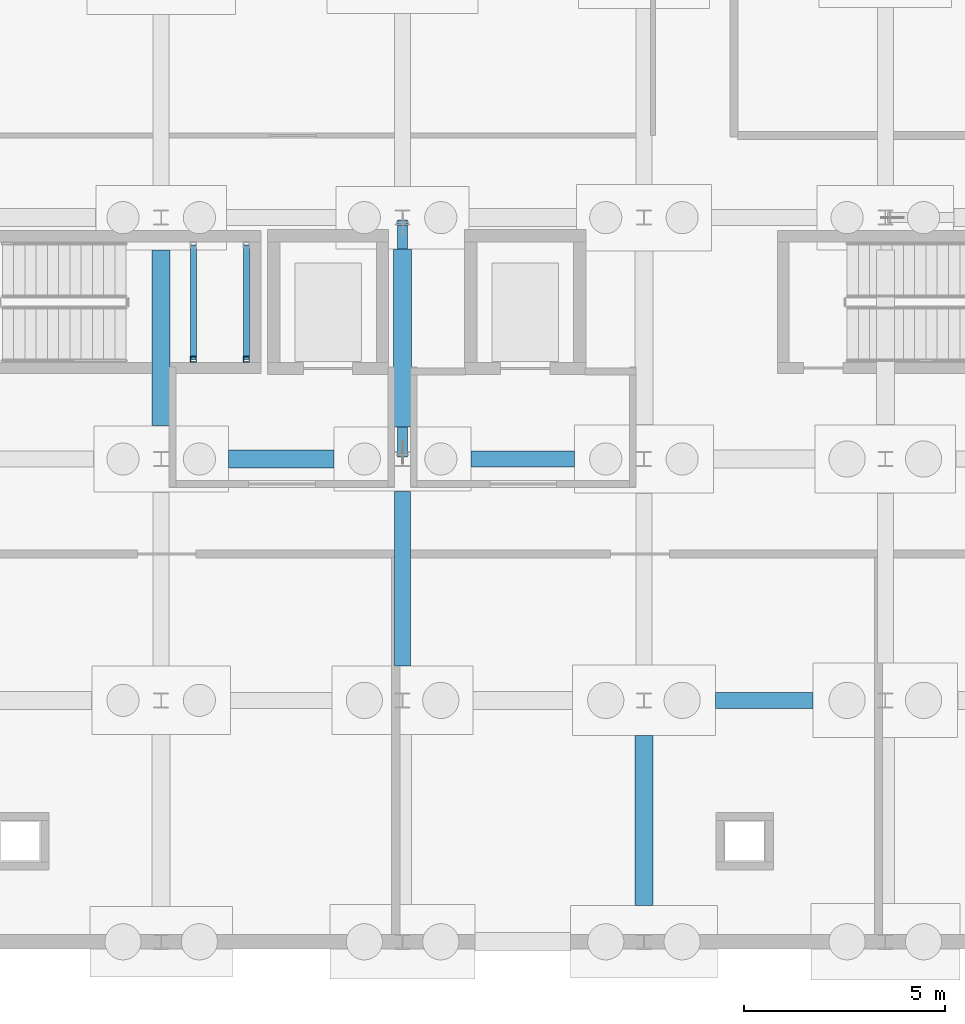
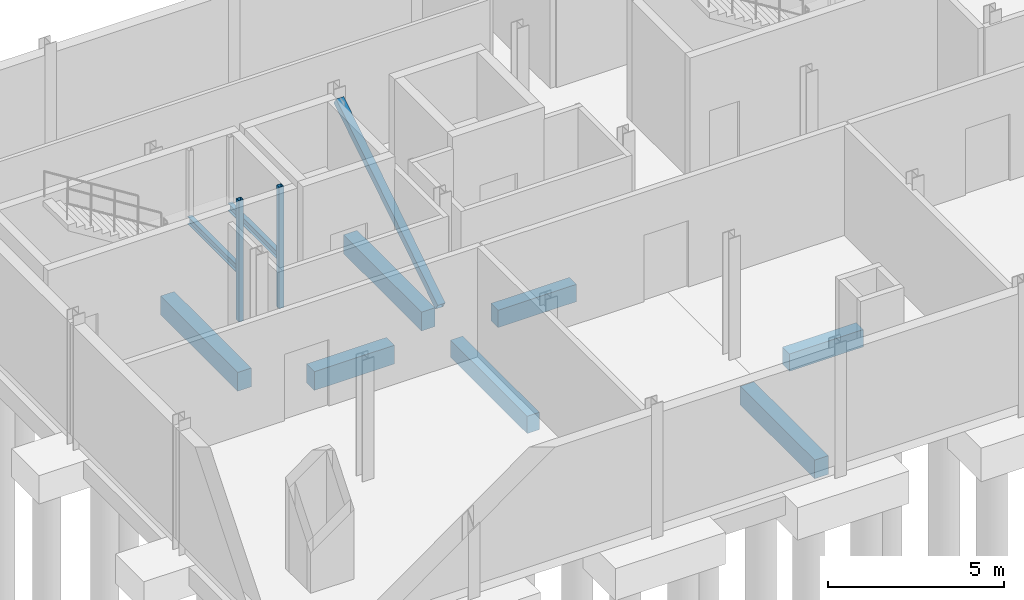
# One storey, part 3 of 12: 9 beams, 3 members.
"""IFC4 building model written with IfcOpenShell, lengths in metres."""

from ifc_helpers import new_model, si_unit, direction, frame, origin, origin_2d, place, context, subcontext, project, spatial, rectangle, hollow_rectangle, i_section, extrude, material, material_profile, profile_set, type_object, element, save


model = new_model("IFC4")

# Units and contexts
model_context = context("Model", 3, precision=1e-05, world=origin(), true_north=direction((0.0, 1.0)))
body_context = subcontext(model_context, "Body", "Model", "MODEL_VIEW")
ifc_project = project(units=[si_unit("LENGTHUNIT", "METRE"), si_unit("AREAUNIT", "SQUARE_METRE"), si_unit("VOLUMEUNIT", "CUBIC_METRE"), si_unit("PLANEANGLEUNIT", "RADIAN"), si_unit("MASSUNIT", "GRAM", prefix="KILO")], contexts=[model_context])

# Site, building, storey
site_placement = place(None, origin())
site = spatial("IfcSite", under=ifc_project, at=site_placement, CompositionType="ELEMENT")
building_placement = place(site_placement, origin())
building = spatial("IfcBuilding", under=site, at=building_placement, Name="Siltcreek Boulevard Central Fire Station", CompositionType="ELEMENT")
storey_placement = place(building_placement, frame((0.0, 0.0, -4.199951171875)))
storey = spatial("IfcBuildingStorey", under=building, at=storey_placement, Name="B01", CompositionType="ELEMENT", Elevation=-4.199951171875)

# Members
ifc_material_1 = material(Name="Structural steel ASTM A500 GrC", Category="steel")
ifc_material_profile_1 = material_profile(ifc_material_1, hollow_rectangle(XDim=0.14990234375, YDim=0.14990234375, WallThickness=0.008056640625, at=origin_2d()), Name="HSS150X150X8.0")
ifc_profile_set_1 = profile_set([ifc_material_profile_1], Name="Structural steel ASTM A500 GrC")
member_type_1 = type_object("IfcMemberType", Name="BR_HSS150_8", PredefinedType="BRACE", material=ifc_profile_set_1)
for number, where, z_axis, x_axis, name in (
    (1, (131.0, 102.679931640625, 0.0), (0.0, 0.0, 1.0), (1.0, 0.0, 0.0), "B01 ST-V5A stair landing corner post SW"),
    (2, (132.320068359375, 102.679931640625, 0.0), (0.0, 0.0, 1.0), (1.0, 0.0, 0.0), "B01 ST-V5A stair landing corner post SE"),
):
    element("IfcMember", number, at=place(storey_placement, frame(where, z_axis=z_axis, x_axis=x_axis)), inside=storey, type_object=member_type_1, Name=name, PredefinedType="BRACE", context=body_context, shape_type="SweptSolid", body=[
        extrude(hollow_rectangle(XDim=0.14990234375, YDim=0.14990234375, WallThickness=0.008056640625, at=origin_2d()), origin(), (0.0, 0.0, 1.0), 4.199951171875),
    ])
ifc_material_profile_2 = material_profile(ifc_material_1, hollow_rectangle(XDim=0.25, YDim=0.25, WallThickness=0.009521484375, at=origin_2d()), Name="HSS250X250X9.5")
ifc_profile_set_2 = profile_set([ifc_material_profile_2], Name="Structural steel ASTM A500 GrC")
member_type_2 = type_object("IfcMemberType", Name="BR_HSS250_9", PredefinedType="BRACE", material=ifc_profile_set_2)
member_placement = place(storey_placement, frame((136.199951171875, 100.320068359375, 0.099853515625), z_axis=(0.0, 0.844677172169, 0.535276073458), x_axis=(-1.0, 0.0, 0.0)))
element("IfcMember", 3, at=member_placement, inside=storey, type_object=member_type_2, Name="B01 buckling-restrained brace BR-031", PredefinedType="BRACE", context=body_context, shape_type="SweptSolid", body=[
    extrude(hollow_rectangle(XDim=0.25, YDim=0.25, WallThickness=0.009521484375, at=origin_2d()), origin(), (0.0, 0.0, 1.0), 6.819091796875),
])

# Beams
ifc_material_2 = material(Name="Concrete C35/45", Category="concrete")
ifc_material_profile_3 = material_profile(ifc_material_2, rectangle(XDim=0.39990234375, YDim=0.60009765625, at=origin_2d()), Name="RC400X600")
ifc_profile_set_3 = profile_set([ifc_material_profile_3], Name="Concrete C35/45")
beam_type_1 = type_object("IfcBeamType", Name="GB_RC400X600", PredefinedType="USERDEFINED", material=ifc_profile_set_3)
beam_1_placement = place(storey_placement, frame((143.97705078125, 94.199951171875, -0.75), z_axis=(1.0, 0.0, 0.0), x_axis=(0.0, 1.0, 0.0)))
element("IfcBeam", 4, at=beam_1_placement, inside=storey, type_object=beam_type_1, Name="Reinforced concrete tie grade beam GB-241", ObjectType="GRADE BEAM", PredefinedType="USERDEFINED", context=body_context, shape_type="SweptSolid", body=[
    extrude(rectangle(XDim=0.39990234375, YDim=0.60009765625, at=origin_2d()), origin(), (0.0, 0.0, 1.0), 2.4208984375),
])
beam_2_placement = place(storey_placement, frame((137.902099609375, 100.199951171875, -0.75), z_axis=(1.0, 0.0, 0.0), x_axis=(0.0, 1.0, 0.0)))
element("IfcBeam", 5, at=beam_2_placement, inside=storey, type_object=beam_type_1, Name="Reinforced concrete tie grade beam GB-247", ObjectType="GRADE BEAM", PredefinedType="USERDEFINED", context=body_context, shape_type="SweptSolid", body=[
    extrude(rectangle(XDim=0.39990234375, YDim=0.60009765625, at=origin_2d()), origin(), (0.0, 0.0, 1.0), 2.57080078125),
])
beam_3_placement = place(storey_placement, frame((136.199951171875, 95.052001953125, -0.75), z_axis=(0.0, 1.0, 0.0), x_axis=(-1.0, 0.0, 0.0)))
element("IfcBeam", 6, at=beam_3_placement, inside=storey, type_object=beam_type_1, Name="Reinforced concrete tie grade beam GB-275", ObjectType="GRADE BEAM", PredefinedType="USERDEFINED", context=body_context, shape_type="SweptSolid", body=[
    extrude(rectangle(XDim=0.39990234375, YDim=0.60009765625, at=origin_2d()), origin(), (0.0, 0.0, 1.0), 4.345947265625),
])
ifc_material_profile_4 = material_profile(ifc_material_2, rectangle(XDim=0.449951171875, YDim=0.64990234375, at=origin_2d()), Name="RC450X650")
ifc_profile_set_4 = profile_set([ifc_material_profile_4], Name="Concrete C35/45")
beam_type_2 = type_object("IfcBeamType", Name="GB_RC450X650", PredefinedType="USERDEFINED", material=ifc_profile_set_4)
beam_4_placement = place(storey_placement, frame((131.876953125, 100.199951171875, -0.775146484375), z_axis=(1.0, 0.0, 0.0), x_axis=(0.0, 1.0, 0.0)))
element("IfcBeam", 7, at=beam_4_placement, inside=storey, type_object=beam_type_2, Name="Reinforced concrete tie grade beam GB-246", ObjectType="GRADE BEAM", PredefinedType="USERDEFINED", context=body_context, shape_type="SweptSolid", body=[
    extrude(rectangle(XDim=0.449951171875, YDim=0.64990234375, at=origin_2d()), origin(), (0.0, 0.0, 1.0), 2.62109375),
])
beam_5_placement = place(storey_placement, frame((130.199951171875, 101.027099609375, -0.775146484375), z_axis=(0.0, 1.0, 0.0), x_axis=(-1.0, 0.0, 0.0)))
element("IfcBeam", 8, at=beam_5_placement, inside=storey, type_object=beam_type_2, Name="Reinforced concrete tie grade beam GB-272", ObjectType="GRADE BEAM", PredefinedType="USERDEFINED", context=body_context, shape_type="SweptSolid", body=[
    extrude(rectangle(XDim=0.449951171875, YDim=0.64990234375, at=origin_2d()), origin(), (0.0, 0.0, 1.0), 4.370849609375),
])
beam_6_placement = place(storey_placement, frame((136.199951171875, 101.001953125, -0.775146484375), z_axis=(0.0, 1.0, 0.0), x_axis=(-1.0, 0.0, 0.0)))
element("IfcBeam", 9, at=beam_6_placement, inside=storey, type_object=beam_type_2, Name="Reinforced concrete tie grade beam GB-276", ObjectType="GRADE BEAM", PredefinedType="USERDEFINED", context=body_context, shape_type="SweptSolid", body=[
    extrude(rectangle(XDim=0.449951171875, YDim=0.64990234375, at=origin_2d()), origin(), (0.0, 0.0, 1.0), 4.421142578125),
])
beam_7_placement = place(storey_placement, frame((142.199951171875, 89.10205078125, -0.775146484375), z_axis=(0.0, 1.0, 0.0), x_axis=(-1.0, 0.0, 0.0)))
element("IfcBeam", 10, at=beam_7_placement, inside=storey, type_object=beam_type_2, Name="Reinforced concrete tie grade beam GB-278", ObjectType="GRADE BEAM", PredefinedType="USERDEFINED", context=body_context, shape_type="SweptSolid", body=[
    extrude(rectangle(XDim=0.449951171875, YDim=0.64990234375, at=origin_2d()), origin(), (0.0, 0.0, 1.0), 4.220947265625),
])
ifc_material_3 = material(Name="Structural steel ASTM A992 Gr50", Category="steel")
ifc_material_profile_5 = material_profile(ifc_material_3, i_section(OverallWidth=0.14697265625, OverallDepth=0.261962890625, WebThickness=0.006591796875, FlangeThickness=0.01123046875, at=origin_2d()), Name="W250X39")
ifc_profile_set_5 = profile_set([ifc_material_profile_5], Name="Structural steel ASTM A992 Gr50")
beam_type_3 = type_object("IfcBeamType", Name="JST_W250X39", PredefinedType="JOIST", material=ifc_profile_set_5)
for number, where, z_axis, x_axis, name in (
    (11, (131.0, 102.679931640625, 1.76904296875), (0.0, 1.0, 0.0), (-1.0, 0.0, 0.0), "B01 ST-V5A stair landing bearer MIDW"),
    (12, (132.320068359375, 102.679931640625, 1.76904296875), (0.0, 1.0, 0.0), (-1.0, 0.0, 0.0), "B01 ST-V5A stair landing bearer MIDE"),
):
    element("IfcBeam", number, at=place(storey_placement, frame(where, z_axis=z_axis, x_axis=x_axis)), inside=storey, type_object=beam_type_3, Name=name, PredefinedType="JOIST", context=body_context, shape_type="SweptSolid", body=[
        extrude(i_section(OverallWidth=0.14697265625, OverallDepth=0.261962890625, WebThickness=0.006591796875, FlangeThickness=0.01123046875, at=origin_2d()), origin(), (0.0, 0.0, 1.0), 2.840087890625),
    ])

save(model, "model.ifc")
